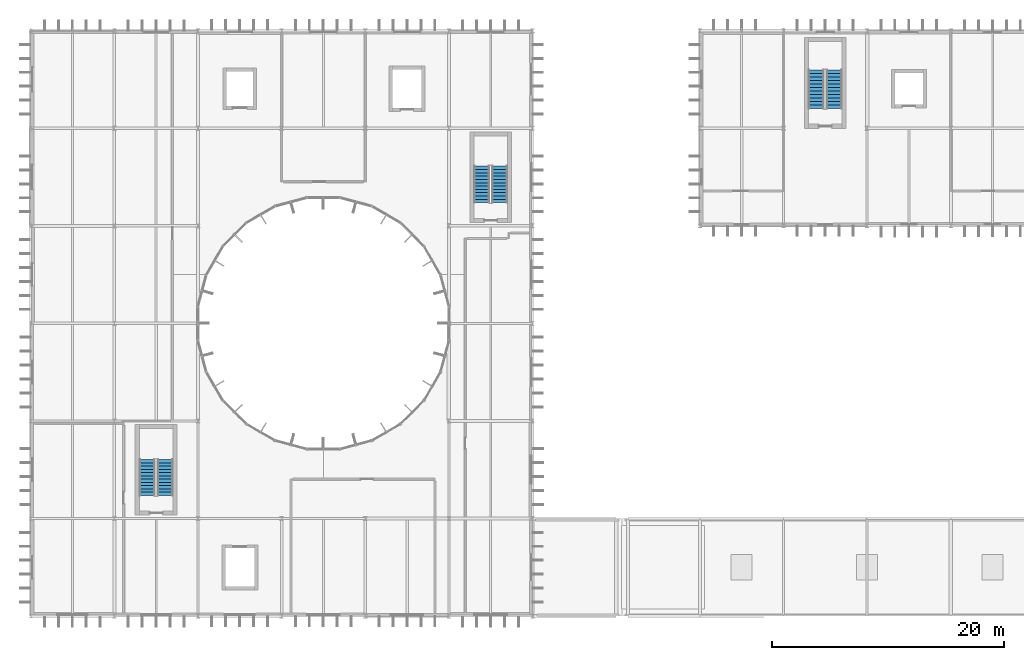
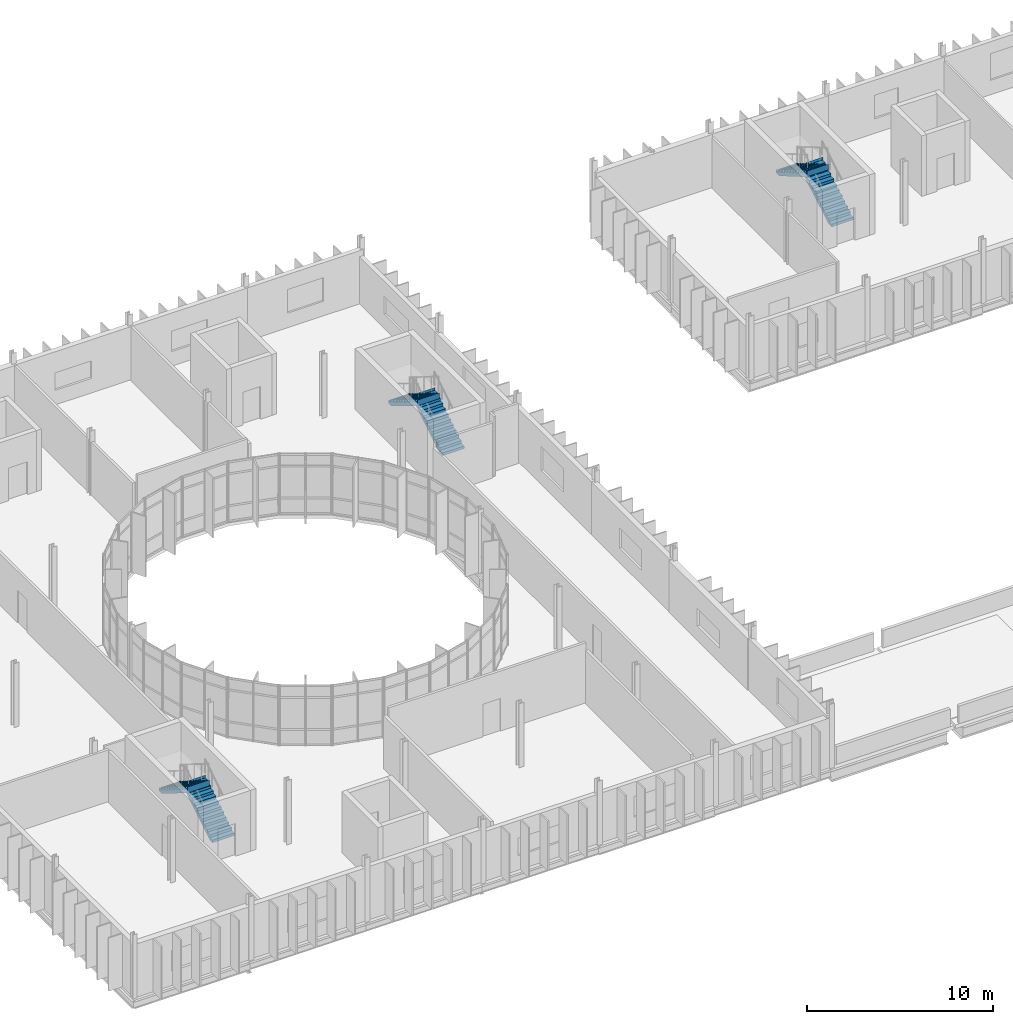
# One storey, part 50 of 61: 6 stair flights, 3 elements without a shape of their own.
"""IFC4 building model written with IfcOpenShell, lengths in metres."""

from ifc_helpers import new_model, si_unit, direction, frame, origin, place, context, subcontext, project, spatial, polyline, outline, extrude, material, type_object, element, aggregate, save


model = new_model("IFC4")

# Units and contexts
model_context = context("Model", 3, precision=1e-05, world=origin(), true_north=direction((0.0, 1.0)))
body_context = subcontext(model_context, "Body", "Model", "MODEL_VIEW")
ifc_project = project(units=[si_unit("LENGTHUNIT", "METRE"), si_unit("AREAUNIT", "SQUARE_METRE"), si_unit("VOLUMEUNIT", "CUBIC_METRE"), si_unit("PLANEANGLEUNIT", "RADIAN"), si_unit("MASSUNIT", "GRAM", prefix="KILO")], contexts=[model_context])

# Site, building, storey
site_placement = place(None, origin())
site = spatial("IfcSite", under=ifc_project, at=site_placement, CompositionType="ELEMENT")
building_placement = place(site_placement, origin())
building = spatial("IfcBuilding", under=site, at=building_placement, Name="Qelthora Terrace Specialist Clinic", CompositionType="ELEMENT")
storey_placement = place(building_placement, frame((0.0, 0.0, 13.199951171875)))
storey = spatial("IfcBuildingStorey", under=building, at=storey_placement, Name="L03", CompositionType="ELEMENT", Elevation=13.199951171875)

# Stair, stair flights
ifc_material = material(Name="Concrete C30/37", Category="concrete")
stair_type_1 = type_object("IfcStairType", Name="STR-175-280", PredefinedType="HALF_TURN_STAIR", material=ifc_material)
stair_1_placement = place(storey_placement, origin())
stair_1 = element("IfcStair", 1, at=stair_1_placement, inside=storey, type_object=stair_type_1, Name="L03 Enclosed Exit Stair ST-01", PredefinedType="HALF_TURN_STAIR")
stair_flight_type_1 = type_object("IfcStairFlightType", Name="SFL-175-280", PredefinedType="STRAIGHT", material=ifc_material)
stair_flight_1_placement = place(storey_placement, frame((11.574951171875, 69.199951171875, 0.0), z_axis=(0.0, 0.0, 1.0), x_axis=(0.0, 1.0, 0.0)))
stair_flight_1 = element("IfcStairFlight", 2, at=stair_flight_1_placement, type_object=stair_flight_type_1, Name="ST-01 flight 1", NumberOfRisers=12, NumberOfTreads=11, PredefinedType="STRAIGHT", RiserHeight=0.175, TreadLength=0.28, context=body_context, shape_type="SweptSolid", body=[
    extrude(outline(polyline([(-0.001953125, 0.0), (-0.001953125, 0.175048828125), (0.280029296875, 0.175048828125), (0.280029296875, 0.35009765625), (0.56005859375, 0.35009765625), (0.56005859375, 0.52490234375), (0.840087890625, 0.52490234375), (0.840087890625, 0.699951171875), (1.1201171875, 0.699951171875), (1.1201171875, 0.875), (1.39990234375, 0.875), (1.39990234375, 1.050048828125), (1.679931640625, 1.050048828125), (1.679931640625, 1.22509765625), (1.9599609375, 1.22509765625), (1.9599609375, 1.39990234375), (2.239990234375, 1.39990234375), (2.239990234375, 1.574951171875), (2.52001953125, 1.574951171875), (2.52001953125, 1.75), (2.800048828125, 1.75), (2.800048828125, 1.925048828125), (3.080078125, 1.925048828125), (3.080078125, 2.10009765625), (3.08203125, 2.10009765625), (3.08203125, 1.712890625), (3.080078125, 1.712890625), (0.339599609375, 0.0), (-0.001953125, 0.0)])), frame((0.0, 0.675048828125, 0.0), z_axis=(0.0, -1.0, 0.0), x_axis=(1.0, 0.0, 0.0)), (0.0, 0.0, 1.0), 1.35009765625),
])
stair_flight_2_placement = place(storey_placement, frame((10.02490234375, 72.280029296875, 2.10009765625), z_axis=(0.0, 0.0, 1.0), x_axis=(0.0, -1.0, 0.0)))
stair_flight_2 = element("IfcStairFlight", 3, at=stair_flight_2_placement, type_object=stair_flight_type_1, Name="ST-01 flight 2", NumberOfRisers=12, NumberOfTreads=11, PredefinedType="STRAIGHT", RiserHeight=0.175, TreadLength=0.28, context=body_context, shape_type="SweptSolid", body=[
    extrude(outline(polyline([(-0.001953125, 0.0), (-0.001953125, 0.175048828125), (0.280029296875, 0.175048828125), (0.280029296875, 0.35009765625), (0.56005859375, 0.35009765625), (0.56005859375, 0.52490234375), (0.840087890625, 0.52490234375), (0.840087890625, 0.699951171875), (1.1201171875, 0.699951171875), (1.1201171875, 0.875), (1.39990234375, 0.875), (1.39990234375, 1.050048828125), (1.679931640625, 1.050048828125), (1.679931640625, 1.22509765625), (1.9599609375, 1.22509765625), (1.9599609375, 1.39990234375), (2.239990234375, 1.39990234375), (2.239990234375, 1.574951171875), (2.52001953125, 1.574951171875), (2.52001953125, 1.75), (2.800048828125, 1.75), (2.800048828125, 1.925048828125), (3.080078125, 1.925048828125), (3.080078125, 2.10009765625), (3.08203125, 2.10009765625), (3.08203125, 1.712890625), (3.080078125, 1.712890625), (0.339599609375, 0.0), (-0.001953125, 0.0)])), frame((0.0, 0.675048828125, 0.0), z_axis=(0.0, -1.0, 0.0), x_axis=(1.0, 0.0, 0.0)), (0.0, 0.0, 1.0), 1.35009765625),
])
aggregate(stair_1, [stair_flight_1, stair_flight_2])

stair_type_2 = type_object("IfcStairType", Name="STR-175-285", PredefinedType="HALF_TURN_STAIR", material=ifc_material)
stair_2_placement = place(storey_placement, origin())
stair_2 = element("IfcStair", 4, at=stair_2_placement, inside=storey, type_object=stair_type_2, Name="L03 Enclosed Exit Stair ST-02", PredefinedType="HALF_TURN_STAIR")
stair_flight_type_2 = type_object("IfcStairFlightType", Name="SFL-175-285", PredefinedType="STRAIGHT", material=ifc_material)
stair_flight_3_placement = place(storey_placement, frame((40.375, 94.39990234375, 0.0), z_axis=(0.0, 0.0, 1.0), x_axis=(0.0, 1.0, 0.0)))
stair_flight_3 = element("IfcStairFlight", 5, at=stair_flight_3_placement, type_object=stair_flight_type_2, Name="ST-02 flight 1", NumberOfRisers=12, NumberOfTreads=11, PredefinedType="STRAIGHT", RiserHeight=0.175, TreadLength=0.285, context=body_context, shape_type="SweptSolid", body=[
    extrude(outline(polyline([(-0.001953125, 0.0), (-0.001953125, 0.175048828125), (0.284912109375, 0.175048828125), (0.284912109375, 0.35009765625), (0.570068359375, 0.35009765625), (0.570068359375, 0.52490234375), (0.85498046875, 0.52490234375), (0.85498046875, 0.699951171875), (1.139892578125, 0.699951171875), (1.139892578125, 0.875), (1.425048828125, 0.875), (1.425048828125, 1.050048828125), (1.7099609375, 1.050048828125), (1.7099609375, 1.22509765625), (1.9951171875, 1.22509765625), (1.9951171875, 1.39990234375), (2.280029296875, 1.39990234375), (2.280029296875, 1.574951171875), (2.56494140625, 1.574951171875), (2.56494140625, 1.75), (2.85009765625, 1.75), (2.85009765625, 1.925048828125), (3.135009765625, 1.925048828125), (3.135009765625, 2.10009765625), (3.136962890625, 2.10009765625), (3.136962890625, 1.7138671875), (3.135009765625, 1.7138671875), (0.34375, 0.0), (-0.001953125, 0.0)])), frame((0.0, 0.675048828125, 0.0), z_axis=(0.0, -1.0, 0.0), x_axis=(1.0, 0.0, 0.0)), (0.0, 0.0, 1.0), 1.35009765625),
])
stair_flight_4_placement = place(storey_placement, frame((38.824951171875, 97.534912109375, 2.10009765625), z_axis=(0.0, 0.0, 1.0), x_axis=(0.0, -1.0, 0.0)))
stair_flight_4 = element("IfcStairFlight", 6, at=stair_flight_4_placement, type_object=stair_flight_type_2, Name="ST-02 flight 2", NumberOfRisers=12, NumberOfTreads=11, PredefinedType="STRAIGHT", RiserHeight=0.175, TreadLength=0.285, context=body_context, shape_type="SweptSolid", body=[
    extrude(outline(polyline([(-0.001953125, 0.0), (-0.001953125, 0.175048828125), (0.284912109375, 0.175048828125), (0.284912109375, 0.35009765625), (0.570068359375, 0.35009765625), (0.570068359375, 0.52490234375), (0.85498046875, 0.52490234375), (0.85498046875, 0.699951171875), (1.139892578125, 0.699951171875), (1.139892578125, 0.875), (1.425048828125, 0.875), (1.425048828125, 1.050048828125), (1.7099609375, 1.050048828125), (1.7099609375, 1.22509765625), (1.9951171875, 1.22509765625), (1.9951171875, 1.39990234375), (2.280029296875, 1.39990234375), (2.280029296875, 1.574951171875), (2.56494140625, 1.574951171875), (2.56494140625, 1.75), (2.85009765625, 1.75), (2.85009765625, 1.925048828125), (3.135009765625, 1.925048828125), (3.135009765625, 2.10009765625), (3.136962890625, 2.10009765625), (3.136962890625, 1.7138671875), (3.135009765625, 1.7138671875), (0.34375, 0.0), (-0.001953125, 0.0)])), frame((0.0, 0.675048828125, 0.0), z_axis=(0.0, -1.0, 0.0), x_axis=(1.0, 0.0, 0.0)), (0.0, 0.0, 1.0), 1.35009765625),
])
aggregate(stair_2, [stair_flight_3, stair_flight_4])

stair_type_3 = type_object("IfcStairType", Name="STR-175-300", PredefinedType="HALF_TURN_STAIR", material=ifc_material)
stair_3_placement = place(storey_placement, origin())
stair_3 = element("IfcStair", 7, at=stair_3_placement, inside=storey, type_object=stair_type_3, Name="L03 Enclosed Exit Stair ST-07", PredefinedType="HALF_TURN_STAIR")
stair_flight_type_3 = type_object("IfcStairFlightType", Name="SFL-175-300", PredefinedType="STRAIGHT", material=ifc_material)
stair_flight_5_placement = place(storey_placement, frame((69.175048828125, 102.5, 0.0), z_axis=(0.0, 0.0, 1.0), x_axis=(0.0, 1.0, 0.0)))
stair_flight_5 = element("IfcStairFlight", 8, at=stair_flight_5_placement, type_object=stair_flight_type_3, Name="ST-07 flight 1", NumberOfRisers=12, NumberOfTreads=11, PredefinedType="STRAIGHT", RiserHeight=0.175, TreadLength=0.3, context=body_context, shape_type="SweptSolid", body=[
    extrude(outline(polyline([(-0.001953125, 0.0), (-0.001953125, 0.175048828125), (0.300048828125, 0.175048828125), (0.300048828125, 0.35009765625), (0.60009765625, 0.35009765625), (0.60009765625, 0.52490234375), (0.89990234375, 0.52490234375), (0.89990234375, 0.699951171875), (1.199951171875, 0.699951171875), (1.199951171875, 0.875), (1.5, 0.875), (1.5, 1.050048828125), (1.800048828125, 1.050048828125), (1.800048828125, 1.22509765625), (2.10009765625, 1.22509765625), (2.10009765625, 1.39990234375), (2.39990234375, 1.39990234375), (2.39990234375, 1.574951171875), (2.699951171875, 1.574951171875), (2.699951171875, 1.75), (3.0, 1.75), (3.0, 1.925048828125), (3.300048828125, 1.925048828125), (3.300048828125, 2.10009765625), (3.302001953125, 2.10009765625), (3.302001953125, 1.716796875), (3.300048828125, 1.716796875), (0.357177734375, 0.0), (-0.001953125, 0.0)])), frame((0.0, 0.675048828125, 0.0), z_axis=(0.0, -1.0, 0.0), x_axis=(1.0, 0.0, 0.0)), (0.0, 0.0, 1.0), 1.35009765625),
])
stair_flight_6_placement = place(storey_placement, frame((67.625, 105.800048828125, 2.10009765625), z_axis=(0.0, 0.0, 1.0), x_axis=(0.0, -1.0, 0.0)))
stair_flight_6 = element("IfcStairFlight", 9, at=stair_flight_6_placement, type_object=stair_flight_type_3, Name="ST-07 flight 2", NumberOfRisers=12, NumberOfTreads=11, PredefinedType="STRAIGHT", RiserHeight=0.175, TreadLength=0.3, context=body_context, shape_type="SweptSolid", body=[
    extrude(outline(polyline([(-0.001953125, 0.0), (-0.001953125, 0.175048828125), (0.300048828125, 0.175048828125), (0.300048828125, 0.35009765625), (0.60009765625, 0.35009765625), (0.60009765625, 0.52490234375), (0.89990234375, 0.52490234375), (0.89990234375, 0.699951171875), (1.199951171875, 0.699951171875), (1.199951171875, 0.875), (1.5, 0.875), (1.5, 1.050048828125), (1.800048828125, 1.050048828125), (1.800048828125, 1.22509765625), (2.10009765625, 1.22509765625), (2.10009765625, 1.39990234375), (2.39990234375, 1.39990234375), (2.39990234375, 1.574951171875), (2.699951171875, 1.574951171875), (2.699951171875, 1.75), (3.0, 1.75), (3.0, 1.925048828125), (3.300048828125, 1.925048828125), (3.300048828125, 2.10009765625), (3.302001953125, 2.10009765625), (3.302001953125, 1.716796875), (3.300048828125, 1.716796875), (0.357177734375, 0.0), (-0.001953125, 0.0)])), frame((0.0, 0.675048828125, 0.0), z_axis=(0.0, -1.0, 0.0), x_axis=(1.0, 0.0, 0.0)), (0.0, 0.0, 1.0), 1.35009765625),
])
aggregate(stair_3, [stair_flight_5, stair_flight_6])

save(model, "model.ifc")
